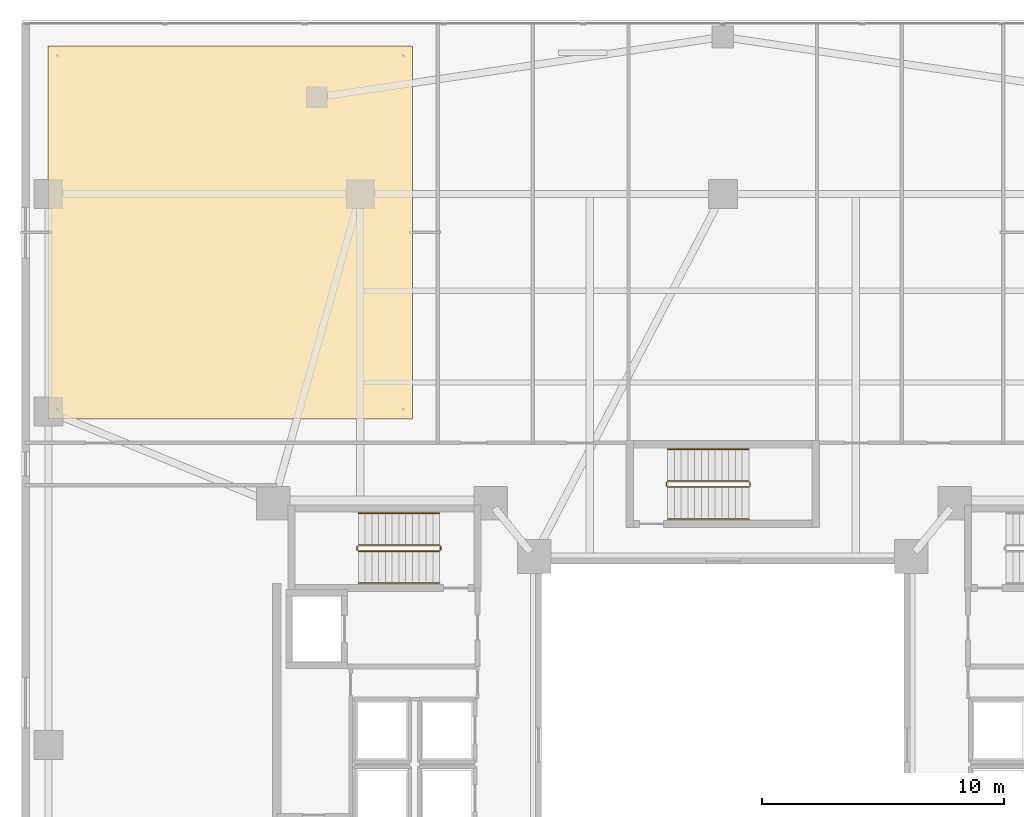
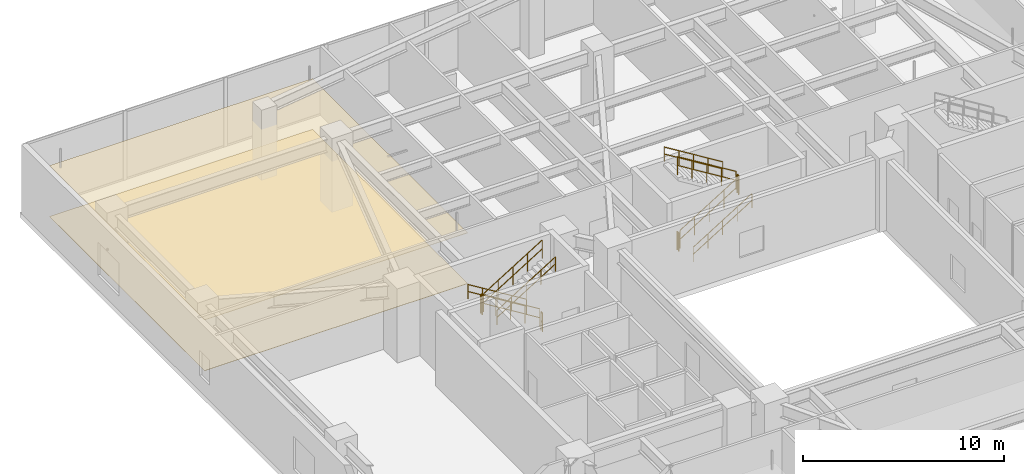
# One storey, part 21 of 22: 12 railings, 2 coverings.
"""IFC4 building model written with IfcOpenShell, lengths in metres."""

from ifc_helpers import new_model, si_unit, direction, frame, origin, origin_2d, place, context, subcontext, project, spatial, polyline, circle, outline, extrude, material, layer, layer_set, type_object, element, save


model = new_model("IFC4")

# Units and contexts
model_context = context("Model", 3, precision=1e-05, world=origin(), true_north=direction((0.0, 1.0)))
body_context = subcontext(model_context, "Body", "Model", "MODEL_VIEW")
ifc_project = project(units=[si_unit("LENGTHUNIT", "METRE"), si_unit("AREAUNIT", "SQUARE_METRE"), si_unit("VOLUMEUNIT", "CUBIC_METRE"), si_unit("PLANEANGLEUNIT", "RADIAN"), si_unit("MASSUNIT", "GRAM", prefix="KILO")], contexts=[model_context])

# Site, building, storey
site_placement = place(None, origin())
site = spatial("IfcSite", under=ifc_project, at=site_placement, CompositionType="ELEMENT")
building_placement = place(site_placement, origin())
building = spatial("IfcBuilding", under=site, at=building_placement, Name="Tarnavaz Court Tower", CompositionType="ELEMENT")
storey_placement = place(building_placement, frame((0.0, 0.0, 14.39990234375)))
storey = spatial("IfcBuildingStorey", under=building, at=storey_placement, Name="L03", CompositionType="ELEMENT", Elevation=14.39990234375)

# Coverings
ifc_material_1 = material(Name="Perforated Gypsum Acoustic Ceiling Tile", Category="masonry")
ifc_layer_1 = layer(ifc_material_1, 0.02490234375)
ifc_layer_set_1 = layer_set([ifc_layer_1], Name="Perforated Gypsum Acoustic Ceiling Tile")
covering_type_1 = type_object("IfcCoveringType", Name="CV-CEIL-AC", PredefinedType="CEILING", material=ifc_layer_set_1)
covering_1_placement = place(storey_placement, frame((0.0, 0.0, 3.080078125)))
element("IfcCovering", 1, at=covering_1_placement, inside=storey, type_object=covering_type_1, Name="L03 Early-Learning Nursery Classroom West Suspended Acoustic Ceiling", PredefinedType="CEILING", context=body_context, shape_type="SweptSolid", body=[
    extrude(outline(polyline([(-27.929931640625, 13.5), (-12.830078125, 13.5), (-12.830078125, 28.929931640625), (-27.929931640625, 28.929931640625), (-27.929931640625, 13.5)])), origin(), (0.0, 0.0, 1.0), 0.02490234375),
])
ifc_material_2 = material(Name="Glazed Khorasan Porcelain Floor Tile", Category="masonry")
ifc_layer_2 = layer(ifc_material_2, 0.02001953125)
ifc_layer_set_2 = layer_set([ifc_layer_2], Name="Glazed Khorasan Porcelain Floor Tile")
covering_type_2 = type_object("IfcCoveringType", Name="CV-FLR-PORC", PredefinedType="FLOORING", material=ifc_layer_set_2)
covering_2_placement = place(storey_placement, origin())
element("IfcCovering", 2, at=covering_2_placement, inside=storey, type_object=covering_type_2, Name="L03 Early-Learning Nursery Classroom West Porcelain Floor Finish", PredefinedType="FLOORING", context=body_context, shape_type="SweptSolid", body=[
    extrude(outline(polyline([(-27.929931640625, 13.5), (-12.830078125, 13.5), (-12.830078125, 28.929931640625), (-27.929931640625, 28.929931640625), (-27.929931640625, 13.5)])), origin(), (0.0, 0.0, 1.0), 0.02001953125),
])

# Railings
ifc_material_3 = material(Name="Brushed Stainless Steel", Category="steel")
railing_type_1 = type_object("IfcRailingType", Name="RL-HANDRAIL-900", PredefinedType="HANDRAIL", material=ifc_material_3)
railing_1_placement = place(storey_placement, frame((-11.719970703125, 9.590087890625, 0.173095703125)))
element("IfcRailing", 3, at=railing_1_placement, inside=storey, type_object=railing_type_1, Name="L03 ST-W1 stair handrail 1", PredefinedType="HANDRAIL", context=body_context, shape_type="SweptSolid", body=[
    extrude(circle(Radius=0.02392578125, at=origin_2d()), frame((0.0, 0.0, 0.8759765625), z_axis=(-0.850623216509, 0.0, 0.525775754039), x_axis=(0.0, -1.0, 0.0)), (0.0, 0.0, 1.0), 3.9501953125),
    extrude(circle(Radius=0.02392578125, at=origin_2d()), frame((0.0, 0.0, 0.449951171875), z_axis=(-0.850623216509, 0.0, 0.525775754039), x_axis=(0.0, -1.0, 0.0)), (0.0, 0.0, 1.0), 3.9501953125),
    extrude(circle(Radius=0.02099609375, at=origin_2d()), origin(), (0.0, 0.0, 1.0), 0.851806640625),
    extrude(circle(Radius=0.02099609375, at=origin_2d()), frame((-0.840087890625, 0.0, 0.519287109375)), (0.0, 0.0, 1.0), 0.851806640625),
    extrude(circle(Radius=0.02099609375, at=origin_2d()), frame((-1.68017578125, 0.0, 1.03857421875)), (0.0, 0.0, 1.0), 0.851806640625),
    extrude(circle(Radius=0.02099609375, at=origin_2d()), frame((-2.52001953125, 0.0, 1.5576171875)), (0.0, 0.0, 1.0), 0.851806640625),
    extrude(circle(Radius=0.02099609375, at=origin_2d()), frame((-3.360107421875, 0.0, 2.076904296875)), (0.0, 0.0, 1.0), 0.851806640625),
])
for number, where, name in (
    (4, (-15.080078125, 6.699951171875, 2.423095703125), "L03 ST-W1 stair handrail 2"),
    (5, (-2.280029296875, 9.35009765625, 0.173095703125), "L03 ST-N1 stair handrail 1"),
):
    element("IfcRailing", number, at=place(storey_placement, frame(where)), inside=storey, type_object=railing_type_1, Name=name, PredefinedType="HANDRAIL", context=body_context, shape_type="SweptSolid", body=[
        extrude(circle(Radius=0.02392578125, at=origin_2d()), frame((0.0, 0.0, 0.8759765625), z_axis=(0.850623216509, 0.0, 0.525775754039), x_axis=(0.0, 1.0, 0.0)), (0.0, 0.0, 1.0), 3.9501953125),
        extrude(circle(Radius=0.02392578125, at=origin_2d()), frame((0.0, 0.0, 0.449951171875), z_axis=(0.850623216509, 0.0, 0.525775754039), x_axis=(0.0, 1.0, 0.0)), (0.0, 0.0, 1.0), 3.9501953125),
        extrude(circle(Radius=0.02099609375, at=origin_2d()), origin(), (0.0, 0.0, 1.0), 0.851806640625),
        extrude(circle(Radius=0.02099609375, at=origin_2d()), frame((0.840087890625, 0.0, 0.519287109375)), (0.0, 0.0, 1.0), 0.851806640625),
        extrude(circle(Radius=0.02099609375, at=origin_2d()), frame((1.68017578125, 0.0, 1.03857421875)), (0.0, 0.0, 1.0), 0.851806640625),
        extrude(circle(Radius=0.02099609375, at=origin_2d()), frame((2.52001953125, 0.0, 1.5576171875)), (0.0, 0.0, 1.0), 0.851806640625),
        extrude(circle(Radius=0.02099609375, at=origin_2d()), frame((3.360107421875, 0.0, 2.076904296875)), (0.0, 0.0, 1.0), 0.851806640625),
    ])
railing_2_placement = place(storey_placement, frame((1.080078125, 12.239990234375, 2.423095703125)))
element("IfcRailing", 6, at=railing_2_placement, inside=storey, type_object=railing_type_1, Name="L03 ST-N1 stair handrail 2", PredefinedType="HANDRAIL", context=body_context, shape_type="SweptSolid", body=[
    extrude(circle(Radius=0.02392578125, at=origin_2d()), frame((0.0, 0.0, 0.8759765625), z_axis=(-0.850623216509, 0.0, 0.525775754039), x_axis=(0.0, -1.0, 0.0)), (0.0, 0.0, 1.0), 3.9501953125),
    extrude(circle(Radius=0.02392578125, at=origin_2d()), frame((0.0, 0.0, 0.449951171875), z_axis=(-0.850623216509, 0.0, 0.525775754039), x_axis=(0.0, -1.0, 0.0)), (0.0, 0.0, 1.0), 3.9501953125),
    extrude(circle(Radius=0.02099609375, at=origin_2d()), origin(), (0.0, 0.0, 1.0), 0.851806640625),
    extrude(circle(Radius=0.02099609375, at=origin_2d()), frame((-0.840087890625, 0.0, 0.519287109375)), (0.0, 0.0, 1.0), 0.851806640625),
    extrude(circle(Radius=0.02099609375, at=origin_2d()), frame((-1.68017578125, 0.0, 1.03857421875)), (0.0, 0.0, 1.0), 0.851806640625),
    extrude(circle(Radius=0.02099609375, at=origin_2d()), frame((-2.52001953125, 0.0, 1.5576171875)), (0.0, 0.0, 1.0), 0.851806640625),
    extrude(circle(Radius=0.02099609375, at=origin_2d()), frame((-3.360107421875, 0.0, 2.076904296875)), (0.0, 0.0, 1.0), 0.851806640625),
])
ifc_material_4 = material(Name="Galvanized Painted Tubular Steel", Category="steel")
railing_type_2 = type_object("IfcRailingType", Name="RL-STGUARD-1120", PredefinedType="GUARDRAIL", material=ifc_material_4)
railing_3_placement = place(storey_placement, frame((-11.719970703125, 8.27001953125, 0.173095703125)))
element("IfcRailing", 7, at=railing_3_placement, inside=storey, type_object=railing_type_2, Name="L03 ST-W1 stair guard 1", PredefinedType="GUARDRAIL", context=body_context, shape_type="SweptSolid", body=[
    extrude(circle(Radius=0.02392578125, at=origin_2d()), frame((0.0, 0.0, 1.09619140625), z_axis=(-0.850623216509, 0.0, 0.525775754039), x_axis=(0.0, -1.0, 0.0)), (0.0, 0.0, 1.0), 3.9501953125),
    extrude(circle(Radius=0.02392578125, at=origin_2d()), frame((0.0, 0.0, 0.56005859375), z_axis=(-0.850623216509, 0.0, 0.525775754039), x_axis=(0.0, -1.0, 0.0)), (0.0, 0.0, 1.0), 3.9501953125),
    extrude(circle(Radius=0.02099609375, at=origin_2d()), origin(), (0.0, 0.0, 1.0), 1.072021484375),
    extrude(circle(Radius=0.02099609375, at=origin_2d()), frame((-0.840087890625, 0.0, 0.519287109375)), (0.0, 0.0, 1.0), 1.072021484375),
    extrude(circle(Radius=0.02099609375, at=origin_2d()), frame((-1.68017578125, 0.0, 1.03857421875)), (0.0, 0.0, 1.0), 1.072021484375),
    extrude(circle(Radius=0.02099609375, at=origin_2d()), frame((-2.52001953125, 0.0, 1.5576171875)), (0.0, 0.0, 1.0), 1.072021484375),
    extrude(circle(Radius=0.02099609375, at=origin_2d()), frame((-3.360107421875, 0.0, 2.076904296875)), (0.0, 0.0, 1.0), 1.072021484375),
])
railing_4_placement = place(storey_placement, frame((-15.1298828125, 8.219970703125, 2.25)))
element("IfcRailing", 8, at=railing_4_placement, inside=storey, type_object=railing_type_2, Name="L03 ST-W1 stair guard 2", PredefinedType="GUARDRAIL", context=body_context, shape_type="SweptSolid", body=[
    extrude(circle(Radius=0.02392578125, at=origin_2d()), frame((0.0, 0.0, 1.09619140625), z_axis=(0.0, -1.0, 0.0), x_axis=(1.0, 0.0, 0.0)), (0.0, 0.0, 1.0), 0.14990234375),
    extrude(circle(Radius=0.02392578125, at=origin_2d()), frame((0.0, 0.0, 0.56005859375), z_axis=(0.0, -1.0, 0.0), x_axis=(1.0, 0.0, 0.0)), (0.0, 0.0, 1.0), 0.14990234375),
    extrude(circle(Radius=0.02099609375, at=origin_2d()), origin(), (0.0, 0.0, 1.0), 1.072021484375),
    extrude(circle(Radius=0.02099609375, at=origin_2d()), frame((0.0, -0.14990234375, 0.0)), (0.0, 0.0, 1.0), 1.072021484375),
])
railing_5_placement = place(storey_placement, frame((-15.080078125, 8.02001953125, 2.423095703125)))
element("IfcRailing", 9, at=railing_5_placement, inside=storey, type_object=railing_type_2, Name="L03 ST-W1 stair guard 3", PredefinedType="GUARDRAIL", context=body_context, shape_type="SweptSolid", body=[
    extrude(circle(Radius=0.02392578125, at=origin_2d()), frame((0.0, 0.0, 1.09619140625), z_axis=(0.850623216509, 0.0, 0.525775754039), x_axis=(0.0, 1.0, 0.0)), (0.0, 0.0, 1.0), 3.9501953125),
    extrude(circle(Radius=0.02392578125, at=origin_2d()), frame((0.0, 0.0, 0.56005859375), z_axis=(0.850623216509, 0.0, 0.525775754039), x_axis=(0.0, 1.0, 0.0)), (0.0, 0.0, 1.0), 3.9501953125),
    extrude(circle(Radius=0.02099609375, at=origin_2d()), origin(), (0.0, 0.0, 1.0), 1.072021484375),
    extrude(circle(Radius=0.02099609375, at=origin_2d()), frame((0.840087890625, 0.0, 0.519287109375)), (0.0, 0.0, 1.0), 1.072021484375),
    extrude(circle(Radius=0.02099609375, at=origin_2d()), frame((1.68017578125, 0.0, 1.03857421875)), (0.0, 0.0, 1.0), 1.072021484375),
    extrude(circle(Radius=0.02099609375, at=origin_2d()), frame((2.52001953125, 0.0, 1.5576171875)), (0.0, 0.0, 1.0), 1.072021484375),
    extrude(circle(Radius=0.02099609375, at=origin_2d()), frame((3.360107421875, 0.0, 2.076904296875)), (0.0, 0.0, 1.0), 1.072021484375),
])
railing_6_placement = place(storey_placement, frame((-11.669921875, 8.219970703125, 0.0)))
element("IfcRailing", 10, at=railing_6_placement, inside=storey, type_object=railing_type_2, Name="L03 ST-W1 stair guard 4", PredefinedType="GUARDRAIL", context=body_context, shape_type="SweptSolid", body=[
    extrude(circle(Radius=0.02392578125, at=origin_2d()), frame((0.0, 0.0, 1.09619140625), z_axis=(0.0, -1.0, 0.0), x_axis=(1.0, 0.0, 0.0)), (0.0, 0.0, 1.0), 0.14990234375),
    extrude(circle(Radius=0.02392578125, at=origin_2d()), frame((0.0, 0.0, 0.56005859375), z_axis=(0.0, -1.0, 0.0), x_axis=(1.0, 0.0, 0.0)), (0.0, 0.0, 1.0), 0.14990234375),
    extrude(circle(Radius=0.02099609375, at=origin_2d()), origin(), (0.0, 0.0, 1.0), 1.072021484375),
    extrude(circle(Radius=0.02099609375, at=origin_2d()), frame((0.0, -0.14990234375, 0.0)), (0.0, 0.0, 1.0), 1.072021484375),
])
railing_7_placement = place(storey_placement, frame((-2.280029296875, 10.669921875, 0.173095703125)))
element("IfcRailing", 11, at=railing_7_placement, inside=storey, type_object=railing_type_2, Name="L03 ST-N1 stair guard 1", PredefinedType="GUARDRAIL", context=body_context, shape_type="SweptSolid", body=[
    extrude(circle(Radius=0.02392578125, at=origin_2d()), frame((0.0, 0.0, 1.09619140625), z_axis=(0.850623216509, 0.0, 0.525775754039), x_axis=(0.0, 1.0, 0.0)), (0.0, 0.0, 1.0), 3.9501953125),
    extrude(circle(Radius=0.02392578125, at=origin_2d()), frame((0.0, 0.0, 0.56005859375), z_axis=(0.850623216509, 0.0, 0.525775754039), x_axis=(0.0, 1.0, 0.0)), (0.0, 0.0, 1.0), 3.9501953125),
    extrude(circle(Radius=0.02099609375, at=origin_2d()), origin(), (0.0, 0.0, 1.0), 1.072021484375),
    extrude(circle(Radius=0.02099609375, at=origin_2d()), frame((0.840087890625, 0.0, 0.519287109375)), (0.0, 0.0, 1.0), 1.072021484375),
    extrude(circle(Radius=0.02099609375, at=origin_2d()), frame((1.68017578125, 0.0, 1.03857421875)), (0.0, 0.0, 1.0), 1.072021484375),
    extrude(circle(Radius=0.02099609375, at=origin_2d()), frame((2.52001953125, 0.0, 1.5576171875)), (0.0, 0.0, 1.0), 1.072021484375),
    extrude(circle(Radius=0.02099609375, at=origin_2d()), frame((3.360107421875, 0.0, 2.076904296875)), (0.0, 0.0, 1.0), 1.072021484375),
])
railing_8_placement = place(storey_placement, frame((1.1298828125, 10.719970703125, 2.25)))
element("IfcRailing", 12, at=railing_8_placement, inside=storey, type_object=railing_type_2, Name="L03 ST-N1 stair guard 2", PredefinedType="GUARDRAIL", context=body_context, shape_type="SweptSolid", body=[
    extrude(circle(Radius=0.02392578125, at=origin_2d()), frame((0.0, 0.0, 1.09619140625), z_axis=(0.0, 1.0, 0.0), x_axis=(-1.0, 0.0, 0.0)), (0.0, 0.0, 1.0), 0.150146484375),
    extrude(circle(Radius=0.02392578125, at=origin_2d()), frame((0.0, 0.0, 0.56005859375), z_axis=(0.0, 1.0, 0.0), x_axis=(-1.0, 0.0, 0.0)), (0.0, 0.0, 1.0), 0.150146484375),
    extrude(circle(Radius=0.02099609375, at=origin_2d()), origin(), (0.0, 0.0, 1.0), 1.072021484375),
    extrude(circle(Radius=0.02099609375, at=origin_2d()), frame((0.0, 0.150146484375, 0.0)), (0.0, 0.0, 1.0), 1.072021484375),
])
railing_9_placement = place(storey_placement, frame((1.080078125, 10.919921875, 2.423095703125)))
element("IfcRailing", 13, at=railing_9_placement, inside=storey, type_object=railing_type_2, Name="L03 ST-N1 stair guard 3", PredefinedType="GUARDRAIL", context=body_context, shape_type="SweptSolid", body=[
    extrude(circle(Radius=0.02392578125, at=origin_2d()), frame((0.0, 0.0, 1.09619140625), z_axis=(-0.850623216509, 0.0, 0.525775754039), x_axis=(0.0, -1.0, 0.0)), (0.0, 0.0, 1.0), 3.9501953125),
    extrude(circle(Radius=0.02392578125, at=origin_2d()), frame((0.0, 0.0, 0.56005859375), z_axis=(-0.850623216509, 0.0, 0.525775754039), x_axis=(0.0, -1.0, 0.0)), (0.0, 0.0, 1.0), 3.9501953125),
    extrude(circle(Radius=0.02099609375, at=origin_2d()), origin(), (0.0, 0.0, 1.0), 1.072021484375),
    extrude(circle(Radius=0.02099609375, at=origin_2d()), frame((-0.840087890625, 0.0, 0.519287109375)), (0.0, 0.0, 1.0), 1.072021484375),
    extrude(circle(Radius=0.02099609375, at=origin_2d()), frame((-1.68017578125, 0.0, 1.03857421875)), (0.0, 0.0, 1.0), 1.072021484375),
    extrude(circle(Radius=0.02099609375, at=origin_2d()), frame((-2.52001953125, 0.0, 1.5576171875)), (0.0, 0.0, 1.0), 1.072021484375),
    extrude(circle(Radius=0.02099609375, at=origin_2d()), frame((-3.360107421875, 0.0, 2.076904296875)), (0.0, 0.0, 1.0), 1.072021484375),
])
railing_10_placement = place(storey_placement, frame((-2.330078125, 10.719970703125, 0.0)))
element("IfcRailing", 14, at=railing_10_placement, inside=storey, type_object=railing_type_2, Name="L03 ST-N1 stair guard 4", PredefinedType="GUARDRAIL", context=body_context, shape_type="SweptSolid", body=[
    extrude(circle(Radius=0.02392578125, at=origin_2d()), frame((0.0, 0.0, 1.09619140625), z_axis=(0.0, 1.0, 0.0), x_axis=(-1.0, 0.0, 0.0)), (0.0, 0.0, 1.0), 0.150146484375),
    extrude(circle(Radius=0.02392578125, at=origin_2d()), frame((0.0, 0.0, 0.56005859375), z_axis=(0.0, 1.0, 0.0), x_axis=(-1.0, 0.0, 0.0)), (0.0, 0.0, 1.0), 0.150146484375),
    extrude(circle(Radius=0.02099609375, at=origin_2d()), origin(), (0.0, 0.0, 1.0), 1.072021484375),
    extrude(circle(Radius=0.02099609375, at=origin_2d()), frame((0.0, 0.150146484375, 0.0)), (0.0, 0.0, 1.0), 1.072021484375),
])

save(model, "model.ifc")
